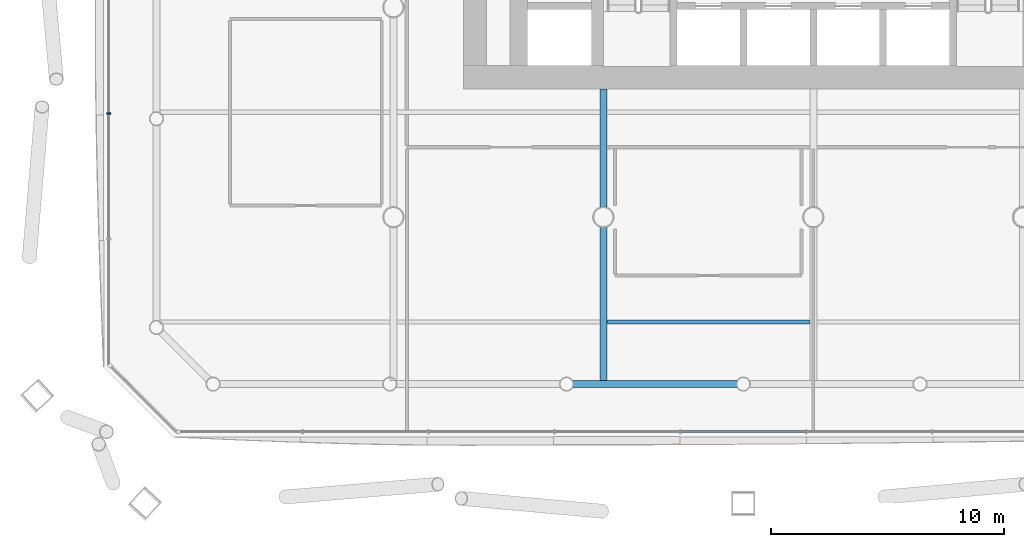
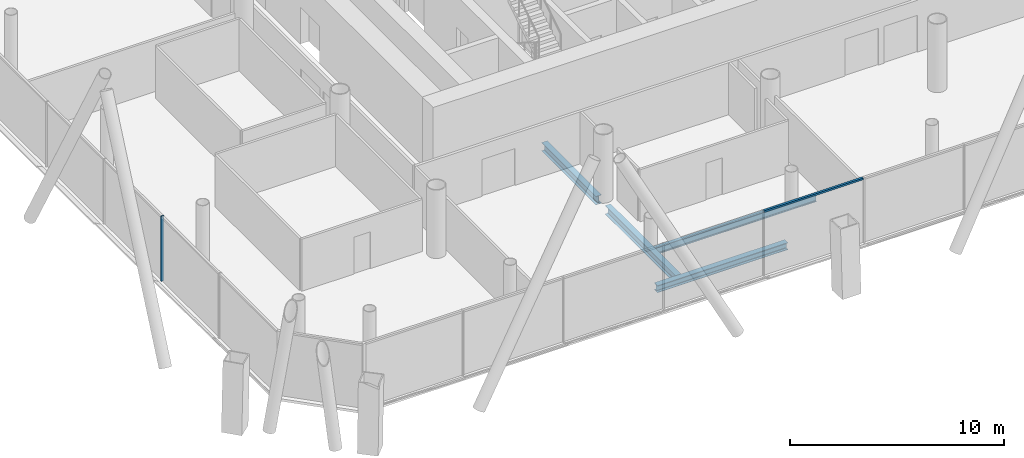
# One storey, part 4 of 25: 4 beams, 2 members, 2 elements without a shape of their own.
"""IFC4 building model written with IfcOpenShell, lengths in metres."""

from ifc_helpers import new_model, si_unit, direction, frame, origin, origin_2d, place, context, subcontext, project, spatial, rectangle, i_section, extrude, material, material_profile, profile_set, type_object, element, aggregate, save


model = new_model("IFC4")

# Units and contexts
model_context = context("Model", 3, precision=1e-05, world=origin(), true_north=direction((0.0, 1.0)))
body_context = subcontext(model_context, "Body", "Model", "MODEL_VIEW")
ifc_project = project(units=[si_unit("LENGTHUNIT", "METRE"), si_unit("AREAUNIT", "SQUARE_METRE"), si_unit("VOLUMEUNIT", "CUBIC_METRE"), si_unit("PLANEANGLEUNIT", "RADIAN"), si_unit("MASSUNIT", "GRAM", prefix="KILO")], contexts=[model_context])

# Site, building, storey
site_placement = place(None, origin())
site = spatial("IfcSite", under=ifc_project, at=site_placement, CompositionType="ELEMENT")
building_placement = place(site_placement, origin())
building = spatial("IfcBuilding", under=site, at=building_placement, Name="Tskaro Facet Tower", CompositionType="ELEMENT")
storey_placement = place(building_placement, frame((0.0, 0.0, 22.5)))
storey = spatial("IfcBuildingStorey", under=building, at=storey_placement, Name="L04", CompositionType="ELEMENT", Elevation=22.5)

# Curtain wall, member
ifc_material_1 = material(Name="Bronze anodised aluminium 6063-T6", Category="aluminium")
curtain_wall_type = type_object("IfcCurtainWallType", Name="Bronze office curtain wall (FW1)", PredefinedType="NOTDEFINED", material=ifc_material_1)
curtain_wall_1_placement = place(storey_placement, origin())
curtain_wall_1 = element("IfcCurtainWall", 1, at=curtain_wall_1_placement, inside=storey, type_object=curtain_wall_type, Name="FW1 west facet L04", PredefinedType="NOTDEFINED")
ifc_material_profile_1 = material_profile(ifc_material_1, rectangle(XDim=0.06005859375, YDim=0.159912109375, at=origin_2d()), Name="Mullion 60x160")
ifc_profile_set_1 = profile_set([ifc_material_profile_1], Name="Bronze anodised aluminium 6063-T6")
member_type_1 = type_object("IfcMemberType", Name="FW1 bronze mullion 60x160", PredefinedType="MULLION", material=ifc_profile_set_1)
member_1_placement = place(storey_placement, frame((-30.201904296875, -13.555908203125, 0.0), z_axis=(0.0, 0.0, 1.0), x_axis=(0.0, -1.0, 0.0)))
member_1 = element("IfcMember", 2, at=member_1_placement, type_object=member_type_1, Name="FW1 west mullion 7", PredefinedType="MULLION", context=body_context, shape_type="SweptSolid", body=[
    extrude(rectangle(XDim=0.06005859375, YDim=0.159912109375, at=origin_2d()), origin(), (0.0, 0.0, 1.0), 3.699951171875),
])
aggregate(curtain_wall_1, [member_1])

curtain_wall_2_placement = place(storey_placement, origin())
curtain_wall_2 = element("IfcCurtainWall", 3, at=curtain_wall_2_placement, inside=storey, type_object=curtain_wall_type, Name="FW1 south facet L04", PredefinedType="NOTDEFINED")
ifc_material_profile_2 = material_profile(ifc_material_1, rectangle(XDim=0.1201171875, YDim=0.10009765625, at=origin_2d()), Name="Transom 120x100")
ifc_profile_set_2 = profile_set([ifc_material_profile_2], Name="Bronze anodised aluminium 6063-T6")
member_type_2 = type_object("IfcMemberType", Name="FW1 bronze transom 120x100", PredefinedType="USERDEFINED", material=ifc_profile_set_2)
member_2_placement = place(storey_placement, frame((-5.670654296875, -27.201904296875, 3.64990234375), z_axis=(1.0, 0.0, 0.0), x_axis=(0.0, 1.0, 0.0)))
member_2 = element("IfcMember", 4, at=member_2_placement, type_object=member_type_2, Name="FW1 south transom 5.1", ObjectType="TRANSOM", PredefinedType="USERDEFINED", context=body_context, shape_type="SweptSolid", body=[
    extrude(rectangle(XDim=0.1201171875, YDim=0.10009765625, at=origin_2d()), origin(), (0.0, 0.0, 1.0), 5.34130859375),
])
aggregate(curtain_wall_2, [member_2])

# Beams
ifc_material_2 = material(Name="Steel S355J2", Category="steel")
ifc_material_profile_3 = material_profile(ifc_material_2, i_section(OverallWidth=0.300048828125, OverallDepth=0.39990234375, WebThickness=0.013427734375, FlangeThickness=0.02392578125, FilletRadius=0.027099609375, at=origin_2d()), Name="HE 400 B")
ifc_profile_set_3 = profile_set([ifc_material_profile_3], Name="Steel S355J2")
beam_type_1 = type_object("IfcBeamType", Name="HE 400 B ring beam", PredefinedType="BEAM", material=ifc_profile_set_3)
beam_1_placement = place(storey_placement, frame((-10.301025390625, -25.156982421875, -0.340087890625), z_axis=(1.0, 0.0, 0.0), x_axis=(0.0, 1.0, 0.0)))
element("IfcBeam", 5, at=beam_1_placement, inside=storey, type_object=beam_type_1, Name="HE 400 B EB3-1", PredefinedType="BEAM", context=body_context, shape_type="SweptSolid", body=[
    extrude(i_section(OverallWidth=0.300048828125, OverallDepth=0.39990234375, WebThickness=0.013427734375, FlangeThickness=0.02392578125, FilletRadius=0.027099609375, at=origin_2d()), origin(), (0.0, 0.0, 1.0), 7.026123046875),
])
ifc_material_profile_4 = material_profile(ifc_material_2, i_section(OverallWidth=0.300048828125, OverallDepth=0.489990234375, WebThickness=0.011962890625, FlangeThickness=0.02294921875, FilletRadius=0.027099609375, at=origin_2d()), Name="HE 500 A")
ifc_profile_set_4 = profile_set([ifc_material_profile_4], Name="Steel S355J2")
beam_type_2 = type_object("IfcBeamType", Name="HE 500 A girder", PredefinedType="BEAM", material=ifc_profile_set_4)
beam_2_placement = place(storey_placement, frame((-9.0, -25.007080078125, -0.385009765625), z_axis=(0.0, 1.0, 0.0), x_axis=(-1.0, 0.0, 0.0)))
element("IfcBeam", 6, at=beam_2_placement, inside=storey, type_object=beam_type_2, Name="HE 500 A GB3-1-1", PredefinedType="BEAM", context=body_context, shape_type="SweptSolid", body=[
    extrude(i_section(OverallWidth=0.300048828125, OverallDepth=0.489990234375, WebThickness=0.011962890625, FlangeThickness=0.02294921875, FilletRadius=0.027099609375, at=origin_2d()), origin(), (0.0, 0.0, 1.0), 6.579833984375),
])
beam_3_placement = place(storey_placement, frame((-9.0, -17.57275390625, -0.385009765625), z_axis=(0.0, 1.0, 0.0), x_axis=(-1.0, 0.0, 0.0)))
element("IfcBeam", 7, at=beam_3_placement, inside=storey, type_object=beam_type_2, Name="HE 500 A GB3-2-1", PredefinedType="BEAM", context=body_context, shape_type="SweptSolid", body=[
    extrude(i_section(OverallWidth=0.300048828125, OverallDepth=0.489990234375, WebThickness=0.011962890625, FlangeThickness=0.02294921875, FilletRadius=0.027099609375, at=origin_2d()), origin(), (0.0, 0.0, 1.0), 5.07275390625),
])
ifc_material_profile_5 = material_profile(ifc_material_2, i_section(OverallWidth=0.179931640625, OverallDepth=0.39990234375, WebThickness=0.008544921875, FlangeThickness=0.013427734375, FilletRadius=0.02099609375, at=origin_2d()), Name="IPE 400")
ifc_profile_set_5 = profile_set([ifc_material_profile_5], Name="Steel S355J2")
beam_type_3 = type_object("IfcBeamType", Name="IPE 400 secondary beam", PredefinedType="BEAM", material=ifc_profile_set_5)
beam_4_placement = place(storey_placement, frame((-8.85009765625, -22.5, -0.340087890625), z_axis=(1.0, 0.0, 0.0), x_axis=(0.0, 1.0, 0.0)))
element("IfcBeam", 8, at=beam_4_placement, inside=storey, type_object=beam_type_3, Name="IPE 400 SB1a-3-1", PredefinedType="BEAM", context=body_context, shape_type="SweptSolid", body=[
    extrude(i_section(OverallWidth=0.179931640625, OverallDepth=0.39990234375, WebThickness=0.008544921875, FlangeThickness=0.013427734375, FilletRadius=0.02099609375, at=origin_2d()), origin(), (0.0, 0.0, 1.0), 8.7001953125),
])

save(model, "model.ifc")
